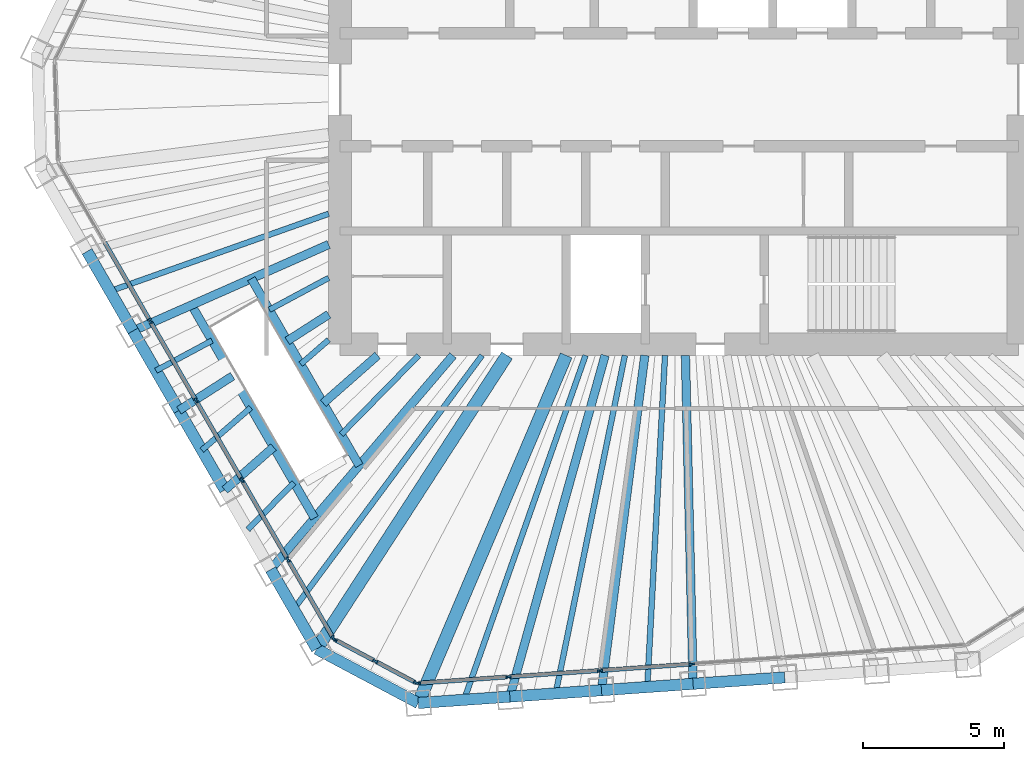
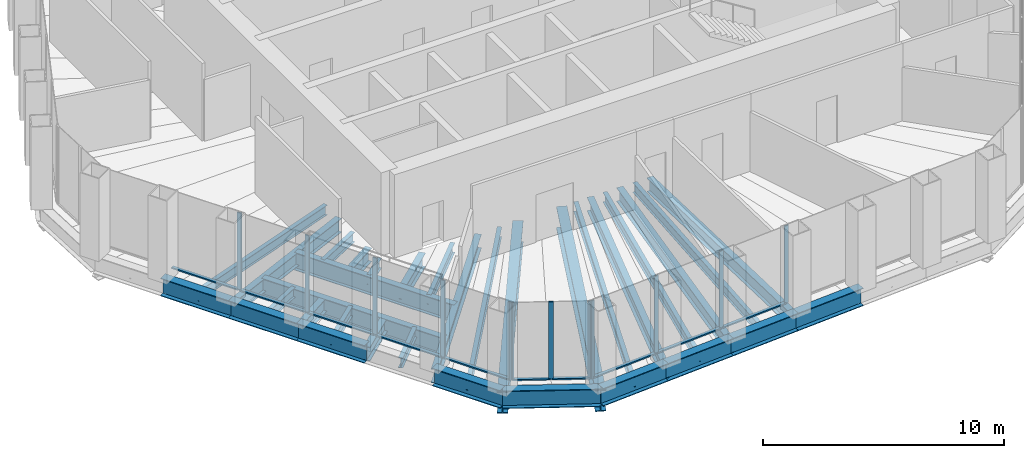
# One storey, part 2 of 14: 33 beams, 22 members, 3 elements without a shape of their own.
"""IFC4 building model written with IfcOpenShell, lengths in metres."""

import ifcopenshell
import ifcopenshell.guid

model = None  # the IFC model being written
_history = None  # IfcOwnerHistory: only IFC2X3 demands one
_inside = {}  # id of a spatial element -> (the spatial element, [elements in it])
_under = {}  # id of a project, library or spatial element -> (it, [spatial elements below it])
_declared = {}  # id of a project -> (the project, [libraries it declares])
_typed = {}  # id of a type object -> (the type object, [elements of that type])
_made_of = {}  # id of a material, layer set ... -> (it, [elements and type objects made of it])


def new_model(schema):
    """Start an empty IFC model of exactly this schema.

    Asked for "IFC4X3", IfcOpenShell would pick the latest addendum, in which some entities
    have other attributes; the version numbers below select the first issue.
    IFC2X3 requires an IfcOwnerHistory on every rooted entity: one is made here for all.
    """
    global model, _history
    if schema == "IFC4X3":
        model = ifcopenshell.file(schema_version=(4, 3, 0, 0))
    else:
        model = ifcopenshell.file(schema=schema)
    _inside.clear()
    _under.clear()
    _declared.clear()
    _typed.clear()
    _made_of.clear()
    _history = None
    if model.schema == "IFC2X3":
        org = make("IfcOrganization", Name="unknown")
        user = make(
            "IfcPersonAndOrganization",
            ThePerson=make("IfcPerson", FamilyName="unknown"),
            TheOrganization=org,
        )
        app = make(
            "IfcApplication",
            ApplicationDeveloper=org,
            Version="unknown",
            ApplicationFullName="unknown",
            ApplicationIdentifier="unknown",
        )
        _history = make(
            "IfcOwnerHistory",
            OwningUser=user,
            OwningApplication=app,
            ChangeAction="ADDED",
            CreationDate=0,
        )
    return model


def make(cls, **values):
    """One entity of the class cls with the attributes given. An attribute that is None is left unset."""
    return model.create_entity(
        cls, **{name: value for name, value in values.items() if value is not None}
    )


def rooted(cls, **values):
    """An entity with a GlobalId (a new one), such as an element, a storey or a relation."""
    return make(cls, GlobalId=ifcopenshell.guid.new(), OwnerHistory=_history, **values)


def si_unit(unit_type, name, prefix=None):
    """IfcSIUnit, for example si_unit("LENGTHUNIT", "METRE", prefix="MILLI")."""
    return make("IfcSIUnit", UnitType=unit_type, Prefix=prefix, Name=name)


def assignment(units):
    """IfcUnitAssignment: the units of a project."""
    return None if units is None else make("IfcUnitAssignment", Units=units)


def point(xyz):
    """IfcCartesianPoint."""
    return None if xyz is None else make("IfcCartesianPoint", Coordinates=xyz)


def direction(xyz):
    """IfcDirection."""
    return None if xyz is None else make("IfcDirection", DirectionRatios=xyz)


def frame(location, z_axis=None, x_axis=None):
    """IfcAxis2Placement3D, a coordinate frame: its origin and axes. An axis left out is left unset."""
    return make(
        "IfcAxis2Placement3D",
        Location=point(location),
        Axis=direction(z_axis),
        RefDirection=direction(x_axis),
    )


def frame_2d(location, x_axis=None):
    """IfcAxis2Placement2D, a coordinate frame in the plane: its origin and x axis."""
    return make(
        "IfcAxis2Placement2D", Location=point(location), RefDirection=direction(x_axis)
    )


def origin():
    """The frame at (0, 0, 0) with its axes left unset."""
    return frame((0.0, 0.0, 0.0))


def origin_2d():
    """The frame at (0, 0) in the plane with its x axis left unset."""
    return frame_2d((0.0, 0.0))


def place(relative_to, where):
    """IfcLocalPlacement: puts the frame where relative to a parent placement (None: the world)."""
    return make(
        "IfcLocalPlacement", PlacementRelTo=relative_to, RelativePlacement=where
    )


def context(
    kind, dimensions, precision=None, world=None, true_north=None, identifier=None
):
    """IfcGeometricRepresentationContext, for example the 3D "Model" context."""
    return make(
        "IfcGeometricRepresentationContext",
        ContextIdentifier=identifier,
        ContextType=kind,
        CoordinateSpaceDimension=dimensions,
        Precision=precision,
        WorldCoordinateSystem=world,
        TrueNorth=true_north,
    )


def subcontext(parent, identifier, kind, view, scale=None):
    """IfcGeometricRepresentationSubContext, for example "Body" below "Model"."""
    return make(
        "IfcGeometricRepresentationSubContext",
        ContextIdentifier=identifier,
        ContextType=kind,
        ParentContext=parent,
        TargetScale=scale,
        TargetView=view,
    )


def project(units=None, contexts=None):
    """IfcProject with its units and contexts."""
    return rooted(
        "IfcProject",
        Name="project",
        RepresentationContexts=contexts,
        UnitsInContext=assignment(units),
    )


def spatial(cls, under=None, at=None, **own):
    """A site, building, storey or space (cls), placed at a placement, below another one or the project."""
    s = rooted(cls, ObjectPlacement=at, **own)
    if under is not None:
        _under.setdefault(under.id(), (under, []))[1].append(s)
    return s


def profile(cls, at=None, kind="AREA", **sizes):
    """A parametric profile (cls). Its sizes go by their IFC names, for example OverallWidth=200.0."""
    return make(cls, ProfileType=kind, Position=at, **sizes)


def rectangle(**sizes):
    """IfcRectangleProfileDef."""
    return profile("IfcRectangleProfileDef", **sizes)


def i_section(**sizes):
    """IfcIShapeProfileDef."""
    return profile("IfcIShapeProfileDef", **sizes)


def extrude(swept, where, along, depth):
    """IfcExtrudedAreaSolid: the profile swept, set in the frame where, extruded along a direction by depth."""
    return make(
        "IfcExtrudedAreaSolid",
        SweptArea=swept,
        Position=where,
        ExtrudedDirection=direction(along),
        Depth=depth,
    )


def shape(context_of_items, identifier, shape_type, items):
    """IfcShapeRepresentation: the items that make up one representation, for example the "Body"."""
    return make(
        "IfcShapeRepresentation",
        ContextOfItems=context_of_items,
        RepresentationIdentifier=identifier,
        RepresentationType=shape_type,
        Items=items,
    )


def material(Name=None, Category=None):
    """IfcMaterial."""
    return make("IfcMaterial", Name=Name, Category=Category)


def material_profile(
    of_material, cross_section, Name=None, Category=None, Priority=None
):
    """IfcMaterialProfile: a cross section and its material."""
    return make(
        "IfcMaterialProfile",
        Name=Name,
        Material=of_material,
        Profile=cross_section,
        Priority=Priority,
        Category=Category,
    )


def profile_set(profiles, Name=None, composite=None):
    """IfcMaterialProfileSet."""
    return make(
        "IfcMaterialProfileSet",
        Name=Name,
        MaterialProfiles=profiles,
        CompositeProfile=composite,
    )


def made_of(thing, what):
    """Note that an element or type object is made of a material, layer set ...; save() writes the relation."""
    if what is not None:
        _made_of.setdefault(what.id(), (what, []))[1].append(thing)
    return thing


def type_object(cls, material=None, **own):
    """A type object (cls), such as IfcWallType, which elements share."""
    return made_of(rooted(cls, **own), material)


def element(
    cls,
    number,
    at=None,
    inside=None,
    cuts=None,
    type_object=None,
    material=None,
    context=None,
    identifier="Body",
    shape_type=None,
    held_by="IfcProductDefinitionShape",
    body=None,
    shapes=None,
    **own,
):
    """One element of the class cls, such as IfcWall. Its Tag is "e" and its number.

    at: its placement. inside: the storey or other place that contains it. cuts: it is an
    opening in that element (IfcRelVoidsElement). A single representation is given by context,
    identifier, shape_type and body (its items); several are given by shapes. held_by: the class
    of the entity that holds the representations. save() writes the other relations.
    """
    e = rooted(cls, Tag="e%d" % number, ObjectPlacement=at, **own)
    if body is not None:
        shapes = [shape(context, identifier, shape_type, body)]
    if shapes is not None:
        e.Representation = make(held_by, Representations=shapes)
    if inside is not None:
        _inside.setdefault(inside.id(), (inside, []))[1].append(e)
    if cuts is not None:
        rooted(
            "IfcRelVoidsElement", RelatingBuildingElement=cuts, RelatedOpeningElement=e
        )
    if type_object is not None:
        _typed.setdefault(type_object.id(), (type_object, []))[1].append(e)
    return made_of(e, material)


def aggregate(whole, parts):
    """IfcRelAggregates: a whole, such as a stair, and the parts it consists of."""
    return rooted("IfcRelAggregates", RelatingObject=whole, RelatedObjects=parts)


def save(model, path):
    """Write the relations noted so far, then the file.

    IfcRelAggregates (storeys below a building ...), IfcRelContainedInSpatialStructure (elements
    in a storey), IfcRelDefinesByType, IfcRelAssociatesMaterial and IfcRelDeclares: one each for
    every whole, place, type object, material and project.
    """
    for whole, parts in _under.values():
        aggregate(whole, parts)
    for where, things in _inside.values():
        rooted(
            "IfcRelContainedInSpatialStructure",
            RelatedElements=things,
            RelatingStructure=where,
        )
    for kind, things in _typed.values():
        rooted("IfcRelDefinesByType", RelatedObjects=things, RelatingType=kind)
    for what, things in _made_of.values():
        rooted("IfcRelAssociatesMaterial", RelatedObjects=things, RelatingMaterial=what)
    for by, libraries in _declared.values():
        rooted("IfcRelDeclares", RelatingContext=by, RelatedDefinitions=libraries)
    model.write(path)


model = new_model("IFC4")

# Units and contexts
model_context = context("Model", 3, precision=1e-05, world=origin(), true_north=direction((0.0, 1.0)))
body_context = subcontext(model_context, "Body", "Model", "MODEL_VIEW")
ifc_project = project(units=[si_unit("LENGTHUNIT", "METRE"), si_unit("AREAUNIT", "SQUARE_METRE"), si_unit("VOLUMEUNIT", "CUBIC_METRE"), si_unit("PLANEANGLEUNIT", "RADIAN"), si_unit("MASSUNIT", "GRAM", prefix="KILO")], contexts=[model_context])

# Site, building, storey
site_placement = place(None, origin())
site = spatial("IfcSite", under=ifc_project, at=site_placement, CompositionType="ELEMENT")
building_placement = place(site_placement, origin())
building = spatial("IfcBuilding", under=site, at=building_placement, Name="Qingtian Harvest Tower", CompositionType="ELEMENT")
storey_placement = place(building_placement, frame((0.0, 0.0, 333.39990234375)))
storey = spatial("IfcBuildingStorey", under=building, at=storey_placement, Name="L74", CompositionType="ELEMENT", Elevation=333.39990234375)

# Beams
ifc_material_1 = material(Name="Steel SM570MC", Category="steel")
ifc_material_profile_1 = material_profile(ifc_material_1, i_section(OverallWidth=0.449951171875, OverallDepth=1.10009765625, WebThickness=0.02197265625, FlangeThickness=0.044921875, at=origin_2d()), Name="H1100x450x22x45")
ifc_profile_set_1 = profile_set([ifc_material_profile_1], Name="Steel SM570MC")
beam_type_1 = type_object("IfcBeamType", Name="Corner floor beam FB8 H1100x450x22x45", PredefinedType="BEAM", material=ifc_profile_set_1)
beam_1_placement = place(storey_placement, frame((-9.231201171875, -21.69677734375, -0.719970703125), z_axis=(0.391505797179, 0.920175641264, 0.0), x_axis=(-0.920175641264, 0.391505797179, 0.0)))
element("IfcBeam", 1, at=beam_1_placement, inside=storey, type_object=beam_type_1, Name="Floor beam FB8 S6", PredefinedType="BEAM", context=body_context, shape_type="SweptSolid", body=[
    extrude(i_section(OverallWidth=0.449951171875, OverallDepth=1.10009765625, WebThickness=0.02197265625, FlangeThickness=0.044921875, at=origin_2d()), origin(), (0.0, 0.0, 1.0), 13.363525390625),
])
beam_2_placement = place(storey_placement, frame((-12.825439453125, -19.78564453125, -0.719970703125), z_axis=(0.543934037964, 0.839127977334, 0.0), x_axis=(-0.839127977334, 0.543934037964, 0.0)))
element("IfcBeam", 2, at=beam_2_placement, inside=storey, type_object=beam_type_1, Name="Floor beam FB8 SW0", PredefinedType="BEAM", context=body_context, shape_type="SweptSolid", body=[
    extrude(i_section(OverallWidth=0.449951171875, OverallDepth=1.10009765625, WebThickness=0.02197265625, FlangeThickness=0.044921875, at=origin_2d()), origin(), (0.0, 0.0, 1.0), 12.376708984375),
])
ifc_material_2 = material(Name="Steel SN490B", Category="steel")
ifc_material_profile_2 = material_profile(ifc_material_2, i_section(OverallWidth=0.300048828125, OverallDepth=0.699951171875, WebThickness=0.012939453125, FlangeThickness=0.02392578125, at=origin_2d()), Name="H700x300x13x24")
ifc_profile_set_2 = profile_set([ifc_material_profile_2], Name="Steel SN490B")
beam_type_2 = type_object("IfcBeamType", Name="Floor beam FB4 H700x300x13x24", PredefinedType="BEAM", material=ifc_profile_set_2)
beam_3_placement = place(storey_placement, frame((0.489013671875, -21.01708984375, -0.52001953125), z_axis=(-0.023257829451, 0.9997295001, 0.0), x_axis=(-0.9997295001, -0.023257829451, 0.0)))
element("IfcBeam", 3, at=beam_3_placement, inside=storey, type_object=beam_type_2, Name="Floor beam FB4 S3", PredefinedType="BEAM", context=body_context, shape_type="SweptSolid", body=[
    extrude(i_section(OverallWidth=0.300048828125, OverallDepth=0.699951171875, WebThickness=0.012939453125, FlangeThickness=0.02392578125, at=origin_2d()), origin(), (0.0, 0.0, 1.0), 11.620361328125),
])
beam_4_placement = place(storey_placement, frame((-2.7509765625, -21.24365234375, -0.52001953125), z_axis=(0.128421483878, 0.991719679385, 0.0), x_axis=(-0.991719679385, 0.128421483878, 0.0)))
element("IfcBeam", 4, at=beam_4_placement, inside=storey, type_object=beam_type_2, Name="Floor beam FB4 S4", PredefinedType="BEAM", context=body_context, shape_type="SweptSolid", body=[
    extrude(i_section(OverallWidth=0.300048828125, OverallDepth=0.699951171875, WebThickness=0.012939453125, FlangeThickness=0.02392578125, at=origin_2d()), origin(), (0.0, 0.0, 1.0), 11.942626953125),
])
beam_5_placement = place(storey_placement, frame((-5.9912109375, -21.47021484375, -0.52001953125), z_axis=(0.268777110088, 0.963202400896, 0.0), x_axis=(-0.963202400896, 0.268777110088, 0.0)))
element("IfcBeam", 5, at=beam_5_placement, inside=storey, type_object=beam_type_2, Name="Floor beam FB4 S5", PredefinedType="BEAM", context=body_context, shape_type="SweptSolid", body=[
    extrude(i_section(OverallWidth=0.300048828125, OverallDepth=0.699951171875, WebThickness=0.012939453125, FlangeThickness=0.02392578125, at=origin_2d()), origin(), (0.0, 0.0, 1.0), 12.531494140625),
])
beam_6_placement = place(storey_placement, frame((-14.449462890625, -16.972900390625, -0.52001953125), z_axis=(0.648230392117, 0.761444258457, 0.0), x_axis=(-0.761444258457, 0.648230392117, 0.0)))
element("IfcBeam", 6, at=beam_6_placement, inside=storey, type_object=beam_type_2, Name="Floor beam FB4 SW1", PredefinedType="BEAM", context=body_context, shape_type="SweptSolid", body=[
    extrude(i_section(OverallWidth=0.300048828125, OverallDepth=0.699951171875, WebThickness=0.012939453125, FlangeThickness=0.02392578125, at=origin_2d()), origin(), (0.0, 0.0, 1.0), 9.945556640625),
])
beam_7_placement = place(storey_placement, frame((-16.073486328125, -14.159912109375, -0.52001953125), z_axis=(0.750384127196, 0.66100201335, 0.0), x_axis=(-0.66100201335, 0.750384127196, 0.0)))
element("IfcBeam", 7, at=beam_7_placement, inside=storey, type_object=beam_type_2, Name="Floor beam FB4 SW2", PredefinedType="BEAM", context=body_context, shape_type="SweptSolid", body=[
    extrude(i_section(OverallWidth=0.300048828125, OverallDepth=0.699951171875, WebThickness=0.012939453125, FlangeThickness=0.02392578125, at=origin_2d()), origin(), (0.0, 0.0, 1.0), 2.29443359375),
])
beam_8_placement = place(storey_placement, frame((-17.697509765625, -11.34716796875, -0.52001953125), z_axis=(0.841857667092, 0.539699609374, 0.0), x_axis=(-0.539699609374, 0.841857667092, 0.0)))
element("IfcBeam", 8, at=beam_8_placement, inside=storey, type_object=beam_type_2, Name="Floor beam FB4 SW3", PredefinedType="BEAM", context=body_context, shape_type="SweptSolid", body=[
    extrude(i_section(OverallWidth=0.300048828125, OverallDepth=0.699951171875, WebThickness=0.012939453125, FlangeThickness=0.02392578125, at=origin_2d()), origin(), (0.0, 0.0, 1.0), 2.251953125),
])
beam_9_placement = place(storey_placement, frame((-19.321533203125, -8.5341796875, -0.52001953125), z_axis=(0.914748451897, 0.404023848, 0.0), x_axis=(-0.404023848, 0.914748451897, 0.0)))
element("IfcBeam", 9, at=beam_9_placement, inside=storey, type_object=beam_type_2, Name="Floor beam FB4 SW4", PredefinedType="BEAM", context=body_context, shape_type="SweptSolid", body=[
    extrude(i_section(OverallWidth=0.300048828125, OverallDepth=0.699951171875, WebThickness=0.012939453125, FlangeThickness=0.02392578125, at=origin_2d()), origin(), (0.0, 0.0, 1.0), 7.566650390625),
])
beam_10_placement = place(storey_placement, frame((-12.59130859375, -11.092529296875, -0.52001953125), z_axis=(0.750321832999, 0.661072724384, 0.0), x_axis=(-0.661072724384, 0.750321832999, 0.0)))
element("IfcBeam", 10, at=beam_10_placement, inside=storey, type_object=beam_type_2, Name="Floor beam FB4 SW2 (beyond opening)", PredefinedType="BEAM", context=body_context, shape_type="SweptSolid", body=[
    extrude(i_section(OverallWidth=0.300048828125, OverallDepth=0.699951171875, WebThickness=0.012939453125, FlangeThickness=0.02392578125, at=origin_2d()), origin(), (0.0, 0.0, 1.0), 2.560302734375),
])
beam_11_placement = place(storey_placement, frame((-13.863525390625, -8.888916015625, -0.52001953125), z_axis=(0.841812063729, 0.539770737777, 0.0), x_axis=(-0.539770737777, 0.841812063729, 0.0)))
element("IfcBeam", 11, at=beam_11_placement, inside=storey, type_object=beam_type_2, Name="Floor beam FB4 SW3 (beyond opening)", PredefinedType="BEAM", context=body_context, shape_type="SweptSolid", body=[
    extrude(i_section(OverallWidth=0.300048828125, OverallDepth=0.699951171875, WebThickness=0.012939453125, FlangeThickness=0.02392578125, at=origin_2d()), origin(), (0.0, 0.0, 1.0), 1.73876953125),
])
ifc_material_3 = material(Name="Steel SN490B", Category="steel")
ifc_material_profile_3 = material_profile(ifc_material_3, i_section(OverallWidth=0.199951171875, OverallDepth=0.5, WebThickness=0.010009765625, FlangeThickness=0.01611328125, at=origin_2d()), Name="H500x200x10x16")
ifc_profile_set_3 = profile_set([ifc_material_profile_3], Name="Steel SN490B")
beam_type_3 = type_object("IfcBeamType", Name="Floor joist J3 H500x200x10x16", PredefinedType="JOIST", material=ifc_profile_set_3)
beam_12_placement = place(storey_placement, frame((-1.130859375, -21.13037109375, -0.419921875), z_axis=(0.053432551321, 0.998571460868, 0.0), x_axis=(-0.998571460868, 0.053432551321, 0.0)))
element("IfcBeam", 12, at=beam_12_placement, inside=storey, type_object=beam_type_3, Name="Floor joist J3 S3", PredefinedType="JOIST", context=body_context, shape_type="SweptSolid", body=[
    extrude(i_section(OverallWidth=0.199951171875, OverallDepth=0.5, WebThickness=0.010009765625, FlangeThickness=0.01611328125, at=origin_2d()), origin(), (0.0, 0.0, 1.0), 11.747314453125),
])
beam_13_placement = place(storey_placement, frame((-4.37109375, -21.35693359375, -0.419921875), z_axis=(0.200514926646, 0.97969064719, 0.0), x_axis=(-0.97969064719, 0.200514926646, 0.0)))
element("IfcBeam", 13, at=beam_13_placement, inside=storey, type_object=beam_type_3, Name="Floor joist J3 S4", PredefinedType="JOIST", context=body_context, shape_type="SweptSolid", body=[
    extrude(i_section(OverallWidth=0.199951171875, OverallDepth=0.5, WebThickness=0.010009765625, FlangeThickness=0.01611328125, at=origin_2d()), origin(), (0.0, 0.0, 1.0), 12.204833984375),
])
beam_14_placement = place(storey_placement, frame((-7.611083984375, -21.58349609375, -0.419921875), z_axis=(0.332565071267, 0.9430803112, 0.0), x_axis=(-0.9430803112, 0.332565071267, 0.0)))
element("IfcBeam", 14, at=beam_14_placement, inside=storey, type_object=beam_type_3, Name="Floor joist J3 S5", PredefinedType="JOIST", context=body_context, shape_type="SweptSolid", body=[
    extrude(i_section(OverallWidth=0.199951171875, OverallDepth=0.5, WebThickness=0.010009765625, FlangeThickness=0.01611328125, at=origin_2d()), origin(), (0.0, 0.0, 1.0), 12.9189453125),
])
beam_15_placement = place(storey_placement, frame((-13.637451171875, -18.37939453125, -0.419921875), z_axis=(0.595869637911, 0.803081175608, 0.0), x_axis=(-0.803081175608, 0.595869637911, 0.0)))
element("IfcBeam", 15, at=beam_15_placement, inside=storey, type_object=beam_type_3, Name="Floor joist J3 SW0", PredefinedType="JOIST", context=body_context, shape_type="SweptSolid", body=[
    extrude(i_section(OverallWidth=0.199951171875, OverallDepth=0.5, WebThickness=0.010009765625, FlangeThickness=0.01611328125, at=origin_2d()), origin(), (0.0, 0.0, 1.0), 11.181396484375),
])
beam_16_placement = place(storey_placement, frame((-15.261474609375, -15.56640625, -0.419921875), z_axis=(0.70011949653, 0.71402569322, 0.0), x_axis=(-0.71402569322, 0.70011949653, 0.0)))
element("IfcBeam", 16, at=beam_16_placement, inside=storey, type_object=beam_type_3, Name="Floor joist J3 SW1", PredefinedType="JOIST", context=body_context, shape_type="SweptSolid", body=[
    extrude(i_section(OverallWidth=0.199951171875, OverallDepth=0.5, WebThickness=0.010009765625, FlangeThickness=0.01611328125, at=origin_2d()), origin(), (0.0, 0.0, 1.0), 2.3349609375),
])
beam_17_placement = place(storey_placement, frame((-16.885498046875, -12.753662109375, -0.419921875), z_axis=(0.754309604011, 0.656518865911, 0.0), x_axis=(-0.656518865911, 0.754309604011, 0.0)))
element("IfcBeam", 17, at=beam_17_placement, inside=storey, type_object=beam_type_3, Name="Floor joist J3 SW2", PredefinedType="JOIST", context=body_context, shape_type="SweptSolid", body=[
    extrude(i_section(OverallWidth=0.199951171875, OverallDepth=0.5, WebThickness=0.010009765625, FlangeThickness=0.01611328125, at=origin_2d()), origin(), (0.0, 0.0, 1.0), 2.291748046875),
])
beam_18_placement = place(storey_placement, frame((-18.509521484375, -9.940673828125, -0.419921875), z_axis=(0.881006989806, 0.473103248682, 0.0), x_axis=(-0.473103248682, 0.881006989806, 0.0)))
element("IfcBeam", 18, at=beam_18_placement, inside=storey, type_object=beam_type_3, Name="Floor joist J3 SW3", PredefinedType="JOIST", context=body_context, shape_type="SweptSolid", body=[
    extrude(i_section(OverallWidth=0.199951171875, OverallDepth=0.5, WebThickness=0.010009765625, FlangeThickness=0.01611328125, at=origin_2d()), origin(), (0.0, 0.0, 1.0), 2.25048828125),
])
beam_19_placement = place(storey_placement, frame((-20.133544921875, -7.1279296875, -0.419921875), z_axis=(0.942664093486, 0.333743025174, 0.0), x_axis=(-0.333743025174, 0.942664093486, 0.0)))
element("IfcBeam", 19, at=beam_19_placement, inside=storey, type_object=beam_type_3, Name="Floor joist J3 SW4", PredefinedType="JOIST", context=body_context, shape_type="SweptSolid", body=[
    extrude(i_section(OverallWidth=0.199951171875, OverallDepth=0.5, WebThickness=0.010009765625, FlangeThickness=0.01611328125, at=origin_2d()), origin(), (0.0, 0.0, 1.0), 8.2041015625),
])
beam_20_placement = place(storey_placement, frame((-11.955322265625, -12.194091796875, -0.419921875), z_axis=(0.700084510258, 0.714059996427, 0.0), x_axis=(-0.714059996427, 0.700084510258, 0.0)))
element("IfcBeam", 20, at=beam_20_placement, inside=storey, type_object=beam_type_3, Name="Floor joist J3 SW1 (beyond opening)", PredefinedType="JOIST", context=body_context, shape_type="SweptSolid", body=[
    extrude(i_section(OverallWidth=0.199951171875, OverallDepth=0.5, WebThickness=0.010009765625, FlangeThickness=0.01611328125, at=origin_2d()), origin(), (0.0, 0.0, 1.0), 3.9130859375),
])
beam_21_placement = place(storey_placement, frame((-13.38916015625, -9.710693359375, -0.419921875), z_axis=(0.754465206713, 0.656340042859, 0.0), x_axis=(-0.656340042859, 0.754465206713, 0.0)))
element("IfcBeam", 21, at=beam_21_placement, inside=storey, type_object=beam_type_3, Name="Floor joist J3 SW2 (beyond opening)", PredefinedType="JOIST", context=body_context, shape_type="SweptSolid", body=[
    extrude(i_section(OverallWidth=0.199951171875, OverallDepth=0.5, WebThickness=0.010009765625, FlangeThickness=0.01611328125, at=origin_2d()), origin(), (0.0, 0.0, 1.0), 1.311279296875),
])
beam_22_placement = place(storey_placement, frame((-14.499755859375, -7.787109375, -0.419921875), z_axis=(0.881039494319, 0.473042714192, 0.0), x_axis=(-0.473042714192, 0.881039494319, 0.0)))
element("IfcBeam", 22, at=beam_22_placement, inside=storey, type_object=beam_type_3, Name="Floor joist J3 SW3 (beyond opening)", PredefinedType="JOIST", context=body_context, shape_type="SweptSolid", body=[
    extrude(i_section(OverallWidth=0.199951171875, OverallDepth=0.5, WebThickness=0.010009765625, FlangeThickness=0.01611328125, at=origin_2d()), origin(), (0.0, 0.0, 1.0), 2.38330078125),
])

# Curtain wall, members
ifc_material_4 = material(Name="Bronze-anodised aluminium curtain wall", Category="aluminium")
curtain_wall_type = type_object("IfcCurtainWallType", Name="Curtain wall CW6 executive floors", PredefinedType="USERDEFINED", material=ifc_material_4)
curtain_wall_1_placement = place(storey_placement, origin())
curtain_wall_1 = element("IfcCurtainWall", 23, at=curtain_wall_1_placement, inside=storey, type_object=curtain_wall_type, Name="Curtain wall CW6 L74 S0-5", ObjectType="RECESSED CURTAIN WALL", PredefinedType="USERDEFINED")
ifc_material_5 = material(Name="Bronze-anodised aluminium mullion", Category="aluminium")
ifc_material_profile_4 = material_profile(ifc_material_5, rectangle(XDim=0.06494140625, YDim=0.199951171875, at=origin_2d()), Name="AL 65x200")
ifc_profile_set_4 = profile_set([ifc_material_profile_4], Name="Bronze-anodised aluminium mullion")
member_type_1 = type_object("IfcMemberType", Name="Mullion CWM 65x200", PredefinedType="MULLION", material=ifc_profile_set_4)
member_1_placement = place(storey_placement, frame((0.440185546875, -20.31884765625, 0.0), z_axis=(0.0, 0.0, 1.0), x_axis=(0.069756473744, -0.99756405026, 0.0)))
member_1 = element("IfcMember", 24, at=member_1_placement, type_object=member_type_1, Name="CW6 mullion 4", PredefinedType="MULLION", context=body_context, shape_type="SweptSolid", body=[
    extrude(rectangle(XDim=0.06494140625, YDim=0.199951171875, at=origin_2d()), origin(), (0.0, 0.0, 1.0), 3.920166015625),
])
member_2_placement = place(storey_placement, frame((-2.7998046875, -20.54541015625, 0.0), z_axis=(0.0, 0.0, 1.0), x_axis=(0.069756473744, -0.99756405026, 0.0)))
member_2 = element("IfcMember", 25, at=member_2_placement, type_object=member_type_1, Name="CW6 mullion 5", PredefinedType="MULLION", context=body_context, shape_type="SweptSolid", body=[
    extrude(rectangle(XDim=0.06494140625, YDim=0.199951171875, at=origin_2d()), origin(), (0.0, 0.0, 1.0), 3.920166015625),
])
member_3_placement = place(storey_placement, frame((-6.0400390625, -20.77197265625, 0.0), z_axis=(0.0, 0.0, 1.0), x_axis=(0.069756473744, -0.99756405026, 0.0)))
member_3 = element("IfcMember", 26, at=member_3_placement, type_object=member_type_1, Name="CW6 mullion 6", PredefinedType="MULLION", context=body_context, shape_type="SweptSolid", body=[
    extrude(rectangle(XDim=0.06494140625, YDim=0.199951171875, at=origin_2d()), origin(), (0.0, 0.0, 1.0), 3.920166015625),
])
member_4_placement = place(storey_placement, frame((-9.24755859375, -20.996337890625, 0.0), z_axis=(0.0, 0.0, 1.0), x_axis=(0.069756473744, -0.99756405026, 0.0)))
member_4 = element("IfcMember", 27, at=member_4_placement, type_object=member_type_1, Name="CW6 mullion 7", PredefinedType="MULLION", context=body_context, shape_type="SweptSolid", body=[
    extrude(rectangle(XDim=0.06494140625, YDim=0.199951171875, at=origin_2d()), origin(), (0.0, 0.0, 1.0), 3.920166015625),
])

curtain_wall_2_placement = place(storey_placement, origin())
curtain_wall_2 = element("IfcCurtainWall", 28, at=curtain_wall_2_placement, inside=storey, type_object=curtain_wall_type, Name="Curtain wall CW6 L74 SC", ObjectType="RECESSED CURTAIN WALL", PredefinedType="USERDEFINED")
member_5_placement = place(storey_placement, frame((-9.308837890625, -20.983154296875, 0.0), z_axis=(0.0, 0.0, 1.0), x_axis=(-0.469471562786, -0.882947592859, 0.0)))
member_5 = element("IfcMember", 29, at=member_5_placement, type_object=member_type_1, Name="CW6 mullion 1", PredefinedType="MULLION", context=body_context, shape_type="SweptSolid", body=[
    extrude(rectangle(XDim=0.06494140625, YDim=0.199951171875, at=origin_2d()), origin(), (0.0, 0.0, 1.0), 3.920166015625),
])
member_6_placement = place(storey_placement, frame((-10.749755859375, -20.217041015625, 0.0), z_axis=(0.0, 0.0, 1.0), x_axis=(-0.469471562786, -0.882947592859, 0.0)))
member_6 = element("IfcMember", 30, at=member_6_placement, type_object=member_type_1, Name="CW6 mullion 2", PredefinedType="MULLION", context=body_context, shape_type="SweptSolid", body=[
    extrude(rectangle(XDim=0.06494140625, YDim=0.199951171875, at=origin_2d()), origin(), (0.0, 0.0, 1.0), 3.920166015625),
])
member_7_placement = place(storey_placement, frame((-12.1904296875, -19.450927734375, 0.0), z_axis=(0.0, 0.0, 1.0), x_axis=(-0.469471562786, -0.882947592859, 0.0)))
member_7 = element("IfcMember", 31, at=member_7_placement, type_object=member_type_1, Name="CW6 mullion 3", PredefinedType="MULLION", context=body_context, shape_type="SweptSolid", body=[
    extrude(rectangle(XDim=0.06494140625, YDim=0.199951171875, at=origin_2d()), origin(), (0.0, 0.0, 1.0), 3.920166015625),
])

curtain_wall_3_placement = place(storey_placement, origin())
curtain_wall_3 = element("IfcCurtainWall", 32, at=curtain_wall_3_placement, inside=storey, type_object=curtain_wall_type, Name="Curtain wall CW6 L74 SW0-5", ObjectType="RECESSED CURTAIN WALL", PredefinedType="USERDEFINED")
member_8_placement = place(storey_placement, frame((-12.2353515625, -19.40771484375, 0.0), z_axis=(0.0, 0.0, 1.0), x_axis=(-0.866025403784, -0.5, 0.0)))
member_8 = element("IfcMember", 33, at=member_8_placement, type_object=member_type_1, Name="CW6 mullion 1", PredefinedType="MULLION", context=body_context, shape_type="SweptSolid", body=[
    extrude(rectangle(XDim=0.06494140625, YDim=0.199951171875, at=origin_2d()), origin(), (0.0, 0.0, 1.0), 3.920166015625),
])
member_9_placement = place(storey_placement, frame((-13.84326171875, -16.622802734375, 0.0), z_axis=(0.0, 0.0, 1.0), x_axis=(-0.866025403784, -0.5, 0.0)))
member_9 = element("IfcMember", 34, at=member_9_placement, type_object=member_type_1, Name="CW6 mullion 2", PredefinedType="MULLION", context=body_context, shape_type="SweptSolid", body=[
    extrude(rectangle(XDim=0.06494140625, YDim=0.199951171875, at=origin_2d()), origin(), (0.0, 0.0, 1.0), 3.920166015625),
])
member_10_placement = place(storey_placement, frame((-15.46728515625, -13.81005859375, 0.0), z_axis=(0.0, 0.0, 1.0), x_axis=(-0.866025403784, -0.5, 0.0)))
member_10 = element("IfcMember", 35, at=member_10_placement, type_object=member_type_1, Name="CW6 mullion 3", PredefinedType="MULLION", context=body_context, shape_type="SweptSolid", body=[
    extrude(rectangle(XDim=0.06494140625, YDim=0.199951171875, at=origin_2d()), origin(), (0.0, 0.0, 1.0), 3.920166015625),
])
member_11_placement = place(storey_placement, frame((-17.09130859375, -10.9970703125, 0.0), z_axis=(0.0, 0.0, 1.0), x_axis=(-0.866025403784, -0.5, 0.0)))
member_11 = element("IfcMember", 36, at=member_11_placement, type_object=member_type_1, Name="CW6 mullion 4", PredefinedType="MULLION", context=body_context, shape_type="SweptSolid", body=[
    extrude(rectangle(XDim=0.06494140625, YDim=0.199951171875, at=origin_2d()), origin(), (0.0, 0.0, 1.0), 3.920166015625),
])
member_12_placement = place(storey_placement, frame((-18.71533203125, -8.184326171875, 0.0), z_axis=(0.0, 0.0, 1.0), x_axis=(-0.866025403784, -0.5, 0.0)))
member_12 = element("IfcMember", 37, at=member_12_placement, type_object=member_type_1, Name="CW6 mullion 5", PredefinedType="MULLION", context=body_context, shape_type="SweptSolid", body=[
    extrude(rectangle(XDim=0.06494140625, YDim=0.199951171875, at=origin_2d()), origin(), (0.0, 0.0, 1.0), 3.920166015625),
])

# Beams
ifc_material_6 = material(Name="Steel SN490B", Category="steel")
ifc_material_profile_5 = material_profile(ifc_material_6, i_section(OverallWidth=0.39990234375, OverallDepth=0.89990234375, WebThickness=0.01904296875, FlangeThickness=0.035888671875, at=origin_2d()), Name="H900x400x19x36")
ifc_profile_set_5 = profile_set([ifc_material_profile_5], Name="Steel SN490B")
beam_type_4 = type_object("IfcBeamType", Name="Spandrel beam SB4 H900x400x19x36", PredefinedType="SPANDREL", material=ifc_profile_set_5)
beam_23_placement = place(storey_placement, frame((3.729248046875, -20.79052734375, -0.449951171875), z_axis=(-0.9975644093, -0.069751339047, 0.0), x_axis=(0.069751339047, -0.9975644093, 0.0)))
element("IfcBeam", 38, at=beam_23_placement, inside=storey, type_object=beam_type_4, Name="Spandrel SB4 S2", PredefinedType="SPANDREL", context=body_context, shape_type="SweptSolid", body=[
    extrude(i_section(OverallWidth=0.39990234375, OverallDepth=0.89990234375, WebThickness=0.01904296875, FlangeThickness=0.035888671875, at=origin_2d()), origin(), (0.0, 0.0, 1.0), 3.248046875),
])
beam_24_placement = place(storey_placement, frame((0.489013671875, -21.01708984375, -0.449951171875), z_axis=(-0.997564043571, -0.069756569394, 0.0), x_axis=(0.069756569394, -0.997564043571, 0.0)))
element("IfcBeam", 39, at=beam_24_placement, inside=storey, type_object=beam_type_4, Name="Spandrel SB4 S3", PredefinedType="SPANDREL", context=body_context, shape_type="SweptSolid", body=[
    extrude(i_section(OverallWidth=0.39990234375, OverallDepth=0.89990234375, WebThickness=0.01904296875, FlangeThickness=0.035888671875, at=origin_2d()), origin(), (0.0, 0.0, 1.0), 3.247802734375),
])
beam_25_placement = place(storey_placement, frame((-2.7509765625, -21.24365234375, -0.449951171875), z_axis=(-0.9975644093, -0.069751339047, 0.0), x_axis=(0.069751339047, -0.9975644093, 0.0)))
element("IfcBeam", 40, at=beam_25_placement, inside=storey, type_object=beam_type_4, Name="Spandrel SB4 S4", PredefinedType="SPANDREL", context=body_context, shape_type="SweptSolid", body=[
    extrude(i_section(OverallWidth=0.39990234375, OverallDepth=0.89990234375, WebThickness=0.01904296875, FlangeThickness=0.035888671875, at=origin_2d()), origin(), (0.0, 0.0, 1.0), 3.248046875),
])
beam_26_placement = place(storey_placement, frame((-5.9912109375, -21.47021484375, -0.449951171875), z_axis=(-0.997564043571, -0.069756569394, 0.0), x_axis=(0.069756569394, -0.997564043571, 0.0)))
element("IfcBeam", 41, at=beam_26_placement, inside=storey, type_object=beam_type_4, Name="Spandrel SB4 S5", PredefinedType="SPANDREL", context=body_context, shape_type="SweptSolid", body=[
    extrude(i_section(OverallWidth=0.39990234375, OverallDepth=0.89990234375, WebThickness=0.01904296875, FlangeThickness=0.035888671875, at=origin_2d()), origin(), (0.0, 0.0, 1.0), 3.247802734375),
])
beam_27_placement = place(storey_placement, frame((-9.231201171875, -21.69677734375, -0.449951171875), z_axis=(-0.882943273379, 0.469479686456, 0.0), x_axis=(-0.469479686456, -0.882943273379, 0.0)))
element("IfcBeam", 42, at=beam_27_placement, inside=storey, type_object=beam_type_4, Name="Spandrel SB4 SC", PredefinedType="SPANDREL", context=body_context, shape_type="SweptSolid", body=[
    extrude(i_section(OverallWidth=0.39990234375, OverallDepth=0.89990234375, WebThickness=0.01904296875, FlangeThickness=0.035888671875, at=origin_2d()), origin(), (0.0, 0.0, 1.0), 4.07080078125),
])
for number, where, z_axis, x_axis, name in (
    (43, (-12.825439453125, -19.78564453125, -0.449951171875), (-0.500019593356, 0.866014091259, 0.0), (-0.866014091259, -0.500019593356, 0.0), "Spandrel SB4 SW0"),
    (44, (-16.073486328125, -14.159912109375, -0.449951171875), (-0.500019593356, 0.866014091259, 0.0), (-0.866014091259, -0.500019593356, 0.0), "Spandrel SB4 SW2"),
):
    element("IfcBeam", number, at=place(storey_placement, frame(where, z_axis=z_axis, x_axis=x_axis)), inside=storey, type_object=beam_type_4, Name=name, PredefinedType="SPANDREL", context=body_context, shape_type="SweptSolid", body=[
        extrude(i_section(OverallWidth=0.39990234375, OverallDepth=0.89990234375, WebThickness=0.01904296875, FlangeThickness=0.035888671875, at=origin_2d()), origin(), (0.0, 0.0, 1.0), 3.247802734375),
    ])
beam_28_placement = place(storey_placement, frame((-17.697509765625, -11.34716796875, -0.449951171875), z_axis=(-0.499987045439, 0.866032882975, 0.0), x_axis=(-0.866032882975, -0.499987045439, 0.0)))
element("IfcBeam", 45, at=beam_28_placement, inside=storey, type_object=beam_type_4, Name="Spandrel SB4 SW3", PredefinedType="SPANDREL", context=body_context, shape_type="SweptSolid", body=[
    extrude(i_section(OverallWidth=0.39990234375, OverallDepth=0.89990234375, WebThickness=0.01904296875, FlangeThickness=0.035888671875, at=origin_2d()), origin(), (0.0, 0.0, 1.0), 3.248046875),
])
beam_29_placement = place(storey_placement, frame((-19.321533203125, -8.5341796875, -0.449951171875), z_axis=(-0.500019593356, 0.866014091259, 0.0), x_axis=(-0.866014091259, -0.500019593356, 0.0)))
element("IfcBeam", 46, at=beam_29_placement, inside=storey, type_object=beam_type_4, Name="Spandrel SB4 SW4", PredefinedType="SPANDREL", context=body_context, shape_type="SweptSolid", body=[
    extrude(i_section(OverallWidth=0.39990234375, OverallDepth=0.89990234375, WebThickness=0.01904296875, FlangeThickness=0.035888671875, at=origin_2d()), origin(), (0.0, 0.0, 1.0), 3.247802734375),
])

# Member
ifc_material_7 = material(Name="Bronze-anodised aluminium transom", Category="aluminium")
ifc_material_profile_6 = material_profile(ifc_material_7, rectangle(XDim=0.14990234375, YDim=0.06494140625, at=origin_2d()), Name="AL 65x150")
ifc_profile_set_6 = profile_set([ifc_material_profile_6], Name="Bronze-anodised aluminium transom")
member_type_2 = type_object("IfcMemberType", Name="Transom CWT 65x150", PredefinedType="USERDEFINED", material=ifc_profile_set_6)
member_13_placement = place(storey_placement, frame((0.407958984375, -20.321044921875, 0.03271484375), z_axis=(-0.997566548107, -0.069720743674, 0.0), x_axis=(0.069720743674, -0.997566548107, 0.0)))
member_13 = element("IfcMember", 47, at=member_13_placement, type_object=member_type_2, Name="CW6 transom 4.1", ObjectType="TRANSOM", PredefinedType="USERDEFINED", context=body_context, shape_type="SweptSolid", body=[
    extrude(rectangle(XDim=0.14990234375, YDim=0.06494140625, at=origin_2d()), origin(), (0.0, 0.0, 1.0), 3.18310546875),
])

member_14_placement = place(storey_placement, frame((-2.832275390625, -20.547607421875, 0.03271484375), z_axis=(-0.997561210613, -0.06979707071, 0.0), x_axis=(0.06979707071, -0.997561210613, 0.0)))
member_14 = element("IfcMember", 48, at=member_14_placement, type_object=member_type_2, Name="CW6 transom 5.1", ObjectType="TRANSOM", PredefinedType="USERDEFINED", context=body_context, shape_type="SweptSolid", body=[
    extrude(rectangle(XDim=0.14990234375, YDim=0.06494140625, at=origin_2d()), origin(), (0.0, 0.0, 1.0), 3.18310546875),
])

member_15_placement = place(storey_placement, frame((-6.072509765625, -20.774169921875, 0.03271484375), z_axis=(-0.997564955301, -0.069743529851, 0.0), x_axis=(0.069743529851, -0.997564955301, 0.0)))
member_15 = element("IfcMember", 49, at=member_15_placement, type_object=member_type_2, Name="CW6 transom 6.1", ObjectType="TRANSOM", PredefinedType="USERDEFINED", context=body_context, shape_type="SweptSolid", body=[
    extrude(rectangle(XDim=0.14990234375, YDim=0.06494140625, at=origin_2d()), origin(), (0.0, 0.0, 1.0), 3.150390625),
])

aggregate(curtain_wall_1, [member_1, member_2, member_3, member_4, member_13, member_14, member_15])

member_16_placement = place(storey_placement, frame((-9.33740234375, -20.968017578125, 0.03271484375), z_axis=(-0.882960338349, 0.46944759122, 0.0), x_axis=(-0.46944759122, -0.882960338349, 0.0)))
member_16 = element("IfcMember", 50, at=member_16_placement, type_object=member_type_2, Name="CW6 transom 1.1", ObjectType="TRANSOM", PredefinedType="USERDEFINED", context=body_context, shape_type="SweptSolid", body=[
    extrude(rectangle(XDim=0.14990234375, YDim=0.06494140625, at=origin_2d()), origin(), (0.0, 0.0, 1.0), 1.56689453125),
])

member_17_placement = place(storey_placement, frame((-10.7783203125, -20.201904296875, 0.03271484375), z_axis=(-0.882960338349, 0.46944759122, 0.0), x_axis=(-0.46944759122, -0.882960338349, 0.0)))
member_17 = element("IfcMember", 51, at=member_17_placement, type_object=member_type_2, Name="CW6 transom 2.1", ObjectType="TRANSOM", PredefinedType="USERDEFINED", context=body_context, shape_type="SweptSolid", body=[
    extrude(rectangle(XDim=0.14990234375, YDim=0.06494140625, at=origin_2d()), origin(), (0.0, 0.0, 1.0), 1.56689453125),
])

aggregate(curtain_wall_2, [member_5, member_6, member_7, member_16, member_17])

member_18_placement = place(storey_placement, frame((-12.251708984375, -19.37939453125, 0.03271484375), z_axis=(-0.50000643655, 0.866021687608, 0.0), x_axis=(-0.866021687608, -0.50000643655, 0.0)))
member_18 = element("IfcMember", 52, at=member_18_placement, type_object=member_type_2, Name="CW6 transom 1.1", ObjectType="TRANSOM", PredefinedType="USERDEFINED", context=body_context, shape_type="SweptSolid", body=[
    extrude(rectangle(XDim=0.14990234375, YDim=0.06494140625, at=origin_2d()), origin(), (0.0, 0.0, 1.0), 3.150390625),
])

member_19_placement = place(storey_placement, frame((-13.859375, -16.5947265625, 0.03271484375), z_axis=(-0.5000079448, 0.866020816803, 0.0), x_axis=(-0.866020816803, -0.5000079448, 0.0)))
member_19 = element("IfcMember", 53, at=member_19_placement, type_object=member_type_2, Name="CW6 transom 2.1", ObjectType="TRANSOM", PredefinedType="USERDEFINED", context=body_context, shape_type="SweptSolid", body=[
    extrude(rectangle(XDim=0.14990234375, YDim=0.06494140625, at=origin_2d()), origin(), (0.0, 0.0, 1.0), 3.18310546875),
])

member_20_placement = place(storey_placement, frame((-15.4833984375, -13.78173828125, 0.03271484375), z_axis=(-0.500041159108, 0.866001639258, 0.0), x_axis=(-0.866001639258, -0.500041159108, 0.0)))
member_20 = element("IfcMember", 54, at=member_20_placement, type_object=member_type_2, Name="CW6 transom 3.1", ObjectType="TRANSOM", PredefinedType="USERDEFINED", context=body_context, shape_type="SweptSolid", body=[
    extrude(rectangle(XDim=0.14990234375, YDim=0.06494140625, at=origin_2d()), origin(), (0.0, 0.0, 1.0), 3.182861328125),
])

member_21_placement = place(storey_placement, frame((-17.107421875, -10.968994140625, 0.03271484375), z_axis=(-0.5000079448, 0.866020816803, 0.0), x_axis=(-0.866020816803, -0.5000079448, 0.0)))
member_21 = element("IfcMember", 55, at=member_21_placement, type_object=member_type_2, Name="CW6 transom 4.1", ObjectType="TRANSOM", PredefinedType="USERDEFINED", context=body_context, shape_type="SweptSolid", body=[
    extrude(rectangle(XDim=0.14990234375, YDim=0.06494140625, at=origin_2d()), origin(), (0.0, 0.0, 1.0), 3.18310546875),
])

member_22_placement = place(storey_placement, frame((-18.7314453125, -8.156005859375, 0.03271484375), z_axis=(-0.5000079448, 0.866020816803, 0.0), x_axis=(-0.866020816803, -0.5000079448, 0.0)))
member_22 = element("IfcMember", 56, at=member_22_placement, type_object=member_type_2, Name="CW6 transom 5.1", ObjectType="TRANSOM", PredefinedType="USERDEFINED", context=body_context, shape_type="SweptSolid", body=[
    extrude(rectangle(XDim=0.14990234375, YDim=0.06494140625, at=origin_2d()), origin(), (0.0, 0.0, 1.0), 3.18310546875),
])

aggregate(curtain_wall_3, [member_8, member_9, member_10, member_11, member_12, member_18, member_19, member_20, member_21, member_22])

# Beams
ifc_material_8 = material(Name="Steel SN490B", Category="steel")
ifc_material_profile_7 = material_profile(ifc_material_8, i_section(OverallWidth=0.300048828125, OverallDepth=0.89990234375, WebThickness=0.01611328125, FlangeThickness=0.028076171875, at=origin_2d()), Name="H900x300x16x28")
ifc_profile_set_7 = profile_set([ifc_material_profile_7], Name="Steel SN490B")
beam_type_5 = type_object("IfcBeamType", Name="Trimmer beam TB1 H900x300x16x28", PredefinedType="BEAM", material=ifc_profile_set_7)
beam_30_placement = place(storey_placement, frame((-17.251953125, -7.6201171875, -0.619873046875), z_axis=(0.50001717301, -0.866015488716, 0.0), x_axis=(0.866015488716, 0.50001717301, 0.0)))
element("IfcBeam", 57, at=beam_30_placement, inside=storey, type_object=beam_type_5, Name="Trimmer beam TB1 FS6 1", PredefinedType="BEAM", context=body_context, shape_type="SweptSolid", body=[
    extrude(i_section(OverallWidth=0.300048828125, OverallDepth=0.89990234375, WebThickness=0.01611328125, FlangeThickness=0.028076171875, at=origin_2d()), origin(), (0.0, 0.0, 1.0), 8.700439453125),
])
beam_31_placement = place(storey_placement, frame((-15.1357421875, -6.685546875, -0.619873046875), z_axis=(0.500015930941, -0.866016205856, 0.0), x_axis=(0.866016205856, 0.500015930941, 0.0)))
element("IfcBeam", 58, at=beam_31_placement, inside=storey, type_object=beam_type_5, Name="Trimmer beam TB1 FS6 2", PredefinedType="BEAM", context=body_context, shape_type="SweptSolid", body=[
    extrude(i_section(OverallWidth=0.300048828125, OverallDepth=0.89990234375, WebThickness=0.01611328125, FlangeThickness=0.028076171875, at=origin_2d()), origin(), (0.0, 0.0, 1.0), 7.633056640625),
])

save(model, "model.ifc")
